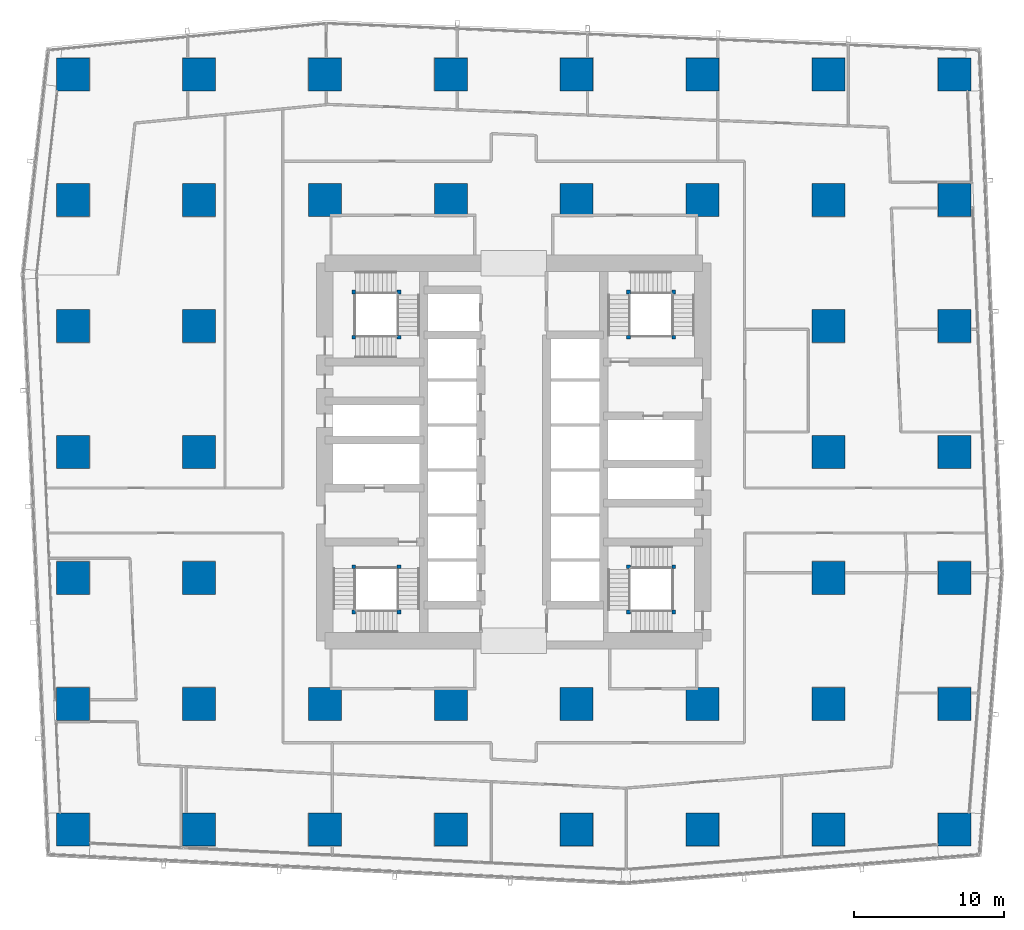
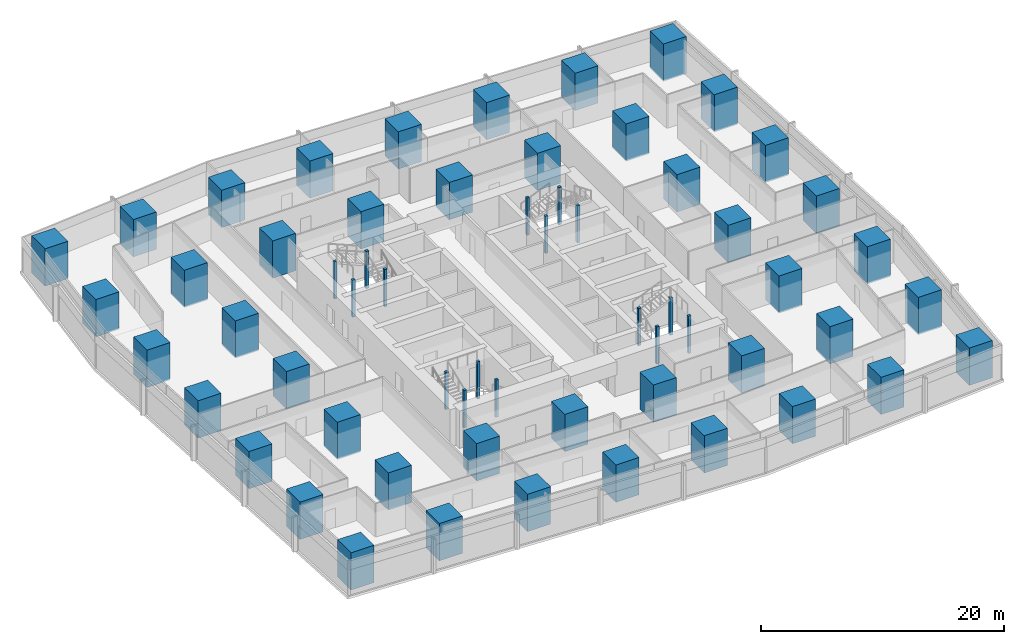
# One storey, part 1 of 44: 60 columns.
"""IFC4 building model written with IfcOpenShell, lengths in metres."""

from ifc_helpers import new_model, si_unit, direction, frame, origin, origin_2d, place, context, subcontext, project, spatial, rectangle, extrude, material, material_profile, profile_set, type_object, element, save


model = new_model("IFC4")

# Units and contexts
model_context = context("Model", 3, precision=1e-05, world=origin(), true_north=direction((0.0, 1.0)))
body_context = subcontext(model_context, "Body", "Model", "MODEL_VIEW")
ifc_project = project(units=[si_unit("LENGTHUNIT", "METRE"), si_unit("AREAUNIT", "SQUARE_METRE"), si_unit("VOLUMEUNIT", "CUBIC_METRE"), si_unit("PLANEANGLEUNIT", "RADIAN"), si_unit("MASSUNIT", "GRAM", prefix="KILO")], contexts=[model_context])

# Site, building, storey
site_placement = place(None, origin())
site = spatial("IfcSite", under=ifc_project, at=site_placement, CompositionType="ELEMENT")
building_placement = place(site_placement, origin())
building = spatial("IfcBuilding", under=site, at=building_placement, Name="Rekha Terrace Tower", CompositionType="ELEMENT")
storey_placement = place(building_placement, frame((0.0, 0.0, 66.64990234375)))
storey = spatial("IfcBuildingStorey", under=building, at=storey_placement, Name="L16", CompositionType="ELEMENT", Elevation=66.64990234375)

# Columns
ifc_material_1 = material(Name="Concrete M70", Category="concrete")
ifc_material_profile_1 = material_profile(ifc_material_1, rectangle(XDim=2.199951171875, YDim=2.199951171875, at=origin_2d()), Name="RC 2200x2200")
ifc_profile_set_1 = profile_set([ifc_material_profile_1], Name="Concrete M70")
column_type_1 = type_object("IfcColumnType", Name="C2 2200x2200 column", PredefinedType="COLUMN", material=ifc_profile_set_1)
for number, where, z_axis, x_axis, name in (
    (1, (8.39990234375, 8.39990234375, 0.0), (0.0, 0.0, 1.0), (1.0, 0.0, 0.0), "Column C2 2/B L16"),
    (2, (8.39990234375, 16.800048828125, 0.0), (0.0, 0.0, 1.0), (1.0, 0.0, 0.0), "Column C2 2/C L16"),
    (3, (8.39990234375, 25.199951171875, 0.0), (0.0, 0.0, 1.0), (1.0, 0.0, 0.0), "Column C2 2/D L16"),
    (4, (8.39990234375, 33.60009765625, 0.0), (0.0, 0.0, 1.0), (1.0, 0.0, 0.0), "Column C2 2/E L16"),
    (5, (8.39990234375, 42.0, 0.0), (0.0, 0.0, 1.0), (1.0, 0.0, 0.0), "Column C2 2/F L16"),
    (6, (8.39990234375, 50.39990234375, 0.0), (0.0, 0.0, 1.0), (1.0, 0.0, 0.0), "Column C2 2/G L16"),
    (7, (8.39990234375, 58.800048828125, 0.0), (0.0, 0.0, 1.0), (1.0, 0.0, 0.0), "Column C2 2/H L16"),
    (8, (16.800048828125, 8.39990234375, 0.0), (0.0, 0.0, 1.0), (1.0, 0.0, 0.0), "Column C2 3/B L16"),
    (9, (16.800048828125, 16.800048828125, 0.0), (0.0, 0.0, 1.0), (1.0, 0.0, 0.0), "Column C2 3/C L16"),
    (10, (16.800048828125, 25.199951171875, 0.0), (0.0, 0.0, 1.0), (1.0, 0.0, 0.0), "Column C2 3/D L16"),
    (11, (16.800048828125, 33.60009765625, 0.0), (0.0, 0.0, 1.0), (1.0, 0.0, 0.0), "Column C2 3/E L16"),
    (12, (16.800048828125, 42.0, 0.0), (0.0, 0.0, 1.0), (1.0, 0.0, 0.0), "Column C2 3/F L16"),
    (13, (16.800048828125, 50.39990234375, 0.0), (0.0, 0.0, 1.0), (1.0, 0.0, 0.0), "Column C2 3/G L16"),
    (14, (16.800048828125, 58.800048828125, 0.0), (0.0, 0.0, 1.0), (1.0, 0.0, 0.0), "Column C2 3/H L16"),
    (15, (25.199951171875, 8.39990234375, 0.0), (0.0, 0.0, 1.0), (1.0, 0.0, 0.0), "Column C2 4/B L16"),
    (16, (25.199951171875, 16.800048828125, 0.0), (0.0, 0.0, 1.0), (1.0, 0.0, 0.0), "Column C2 4/C L16"),
    (17, (25.199951171875, 50.39990234375, 0.0), (0.0, 0.0, 1.0), (1.0, 0.0, 0.0), "Column C2 4/G L16"),
    (18, (25.199951171875, 58.800048828125, 0.0), (0.0, 0.0, 1.0), (1.0, 0.0, 0.0), "Column C2 4/H L16"),
    (19, (33.60009765625, 8.39990234375, 0.0), (0.0, 0.0, 1.0), (1.0, 0.0, 0.0), "Column C2 5/B L16"),
    (20, (33.60009765625, 16.800048828125, 0.0), (0.0, 0.0, 1.0), (1.0, 0.0, 0.0), "Column C2 5/C L16"),
    (21, (33.60009765625, 50.39990234375, 0.0), (0.0, 0.0, 1.0), (1.0, 0.0, 0.0), "Column C2 5/G L16"),
    (22, (33.60009765625, 58.800048828125, 0.0), (0.0, 0.0, 1.0), (1.0, 0.0, 0.0), "Column C2 5/H L16"),
    (23, (42.0, 8.39990234375, 0.0), (0.0, 0.0, 1.0), (1.0, 0.0, 0.0), "Column C2 6/B L16"),
    (24, (42.0, 16.800048828125, 0.0), (0.0, 0.0, 1.0), (1.0, 0.0, 0.0), "Column C2 6/C L16"),
    (25, (42.0, 50.39990234375, 0.0), (0.0, 0.0, 1.0), (1.0, 0.0, 0.0), "Column C2 6/G L16"),
    (26, (42.0, 58.800048828125, 0.0), (0.0, 0.0, 1.0), (1.0, 0.0, 0.0), "Column C2 6/H L16"),
    (27, (50.39990234375, 8.39990234375, 0.0), (0.0, 0.0, 1.0), (1.0, 0.0, 0.0), "Column C2 7/B L16"),
    (28, (50.39990234375, 16.800048828125, 0.0), (0.0, 0.0, 1.0), (1.0, 0.0, 0.0), "Column C2 7/C L16"),
    (29, (50.39990234375, 50.39990234375, 0.0), (0.0, 0.0, 1.0), (1.0, 0.0, 0.0), "Column C2 7/G L16"),
    (30, (50.39990234375, 58.800048828125, 0.0), (0.0, 0.0, 1.0), (1.0, 0.0, 0.0), "Column C2 7/H L16"),
    (31, (58.800048828125, 8.39990234375, 0.0), (0.0, 0.0, 1.0), (1.0, 0.0, 0.0), "Column C2 8/B L16"),
    (32, (58.800048828125, 16.800048828125, 0.0), (0.0, 0.0, 1.0), (1.0, 0.0, 0.0), "Column C2 8/C L16"),
    (33, (58.800048828125, 25.199951171875, 0.0), (0.0, 0.0, 1.0), (1.0, 0.0, 0.0), "Column C2 8/D L16"),
    (34, (58.800048828125, 33.60009765625, 0.0), (0.0, 0.0, 1.0), (1.0, 0.0, 0.0), "Column C2 8/E L16"),
    (35, (58.800048828125, 42.0, 0.0), (0.0, 0.0, 1.0), (1.0, 0.0, 0.0), "Column C2 8/F L16"),
    (36, (58.800048828125, 50.39990234375, 0.0), (0.0, 0.0, 1.0), (1.0, 0.0, 0.0), "Column C2 8/G L16"),
    (37, (58.800048828125, 58.800048828125, 0.0), (0.0, 0.0, 1.0), (1.0, 0.0, 0.0), "Column C2 8/H L16"),
    (38, (67.199951171875, 8.39990234375, 0.0), (0.0, 0.0, 1.0), (1.0, 0.0, 0.0), "Column C2 9/B L16"),
    (39, (67.199951171875, 16.800048828125, 0.0), (0.0, 0.0, 1.0), (1.0, 0.0, 0.0), "Column C2 9/C L16"),
    (40, (67.199951171875, 25.199951171875, 0.0), (0.0, 0.0, 1.0), (1.0, 0.0, 0.0), "Column C2 9/D L16"),
    (41, (67.199951171875, 33.60009765625, 0.0), (0.0, 0.0, 1.0), (1.0, 0.0, 0.0), "Column C2 9/E L16"),
    (42, (67.199951171875, 42.0, 0.0), (0.0, 0.0, 1.0), (1.0, 0.0, 0.0), "Column C2 9/F L16"),
    (43, (67.199951171875, 50.39990234375, 0.0), (0.0, 0.0, 1.0), (1.0, 0.0, 0.0), "Column C2 9/G L16"),
    (44, (67.199951171875, 58.800048828125, 0.0), (0.0, 0.0, 1.0), (1.0, 0.0, 0.0), "Column C2 9/H L16"),
):
    element("IfcColumn", number, at=place(storey_placement, frame(where, z_axis=z_axis, x_axis=x_axis)), inside=storey, type_object=column_type_1, Name=name, PredefinedType="COLUMN", context=body_context, shape_type="SweptSolid", body=[
        extrude(rectangle(XDim=2.199951171875, YDim=2.199951171875, at=origin_2d()), origin(), (0.0, 0.0, 1.0), 3.75),
    ])
ifc_material_2 = material(Name="Concrete M60", Category="concrete")
ifc_material_profile_2 = material_profile(ifc_material_2, rectangle(XDim=0.25, YDim=0.25, at=origin_2d()), Name="RC 250x250")
ifc_profile_set_2 = profile_set([ifc_material_profile_2], Name="Concrete M60")
column_type_2 = type_object("IfcColumnType", Name="NP1 250x250 stair newel post", PredefinedType="COLUMN", material=ifc_profile_set_2)
for number, where, z_axis, x_axis, name in (
    (45, (30.14990234375, 25.949951171875, 0.0), (0.0, 0.0, 1.0), (1.0, 0.0, 0.0), "Stair newel post NP1"),
    (46, (30.14990234375, 22.925048828125, 0.0), (0.0, 0.0, 1.0), (1.0, 0.0, 0.0), "Stair newel post NP1"),
    (47, (27.125, 22.925048828125, 0.0), (0.0, 0.0, 1.0), (1.0, 0.0, 0.0), "Stair newel post NP1"),
    (48, (27.125, 25.949951171875, 0.0), (0.0, 0.0, 1.0), (1.0, 0.0, 0.0), "Stair newel post NP1"),
    (49, (45.449951171875, 41.25, 0.0), (0.0, 0.0, 1.0), (1.0, 0.0, 0.0), "Stair newel post NP1"),
    (50, (45.449951171875, 44.27490234375, 0.0), (0.0, 0.0, 1.0), (1.0, 0.0, 0.0), "Stair newel post NP1"),
    (51, (48.47509765625, 44.27490234375, 0.0), (0.0, 0.0, 1.0), (1.0, 0.0, 0.0), "Stair newel post NP1"),
    (52, (48.47509765625, 41.25, 0.0), (0.0, 0.0, 1.0), (1.0, 0.0, 0.0), "Stair newel post NP1"),
    (53, (48.47509765625, 22.925048828125, 0.0), (0.0, 0.0, 1.0), (1.0, 0.0, 0.0), "Stair newel post NP1"),
    (54, (45.449951171875, 22.925048828125, 0.0), (0.0, 0.0, 1.0), (1.0, 0.0, 0.0), "Stair newel post NP1"),
    (55, (45.449951171875, 25.949951171875, 0.0), (0.0, 0.0, 1.0), (1.0, 0.0, 0.0), "Stair newel post NP1"),
    (56, (48.47509765625, 25.949951171875, 0.0), (0.0, 0.0, 1.0), (1.0, 0.0, 0.0), "Stair newel post NP1"),
    (57, (27.125, 41.25, 0.0), (0.0, 0.0, 1.0), (1.0, 0.0, 0.0), "Stair newel post NP1"),
    (58, (30.14990234375, 41.25, 0.0), (0.0, 0.0, 1.0), (1.0, 0.0, 0.0), "Stair newel post NP1"),
    (59, (30.14990234375, 44.27490234375, 0.0), (0.0, 0.0, 1.0), (1.0, 0.0, 0.0), "Stair newel post NP1"),
    (60, (27.125, 44.27490234375, 0.0), (0.0, 0.0, 1.0), (1.0, 0.0, 0.0), "Stair newel post NP1"),
):
    element("IfcColumn", number, at=place(storey_placement, frame(where, z_axis=z_axis, x_axis=x_axis)), inside=storey, type_object=column_type_2, Name=name, PredefinedType="COLUMN", context=body_context, shape_type="SweptSolid", body=[
        extrude(rectangle(XDim=0.25, YDim=0.25, at=origin_2d()), origin(), (0.0, 0.0, 1.0), 3.75),
    ])

save(model, "model.ifc")
